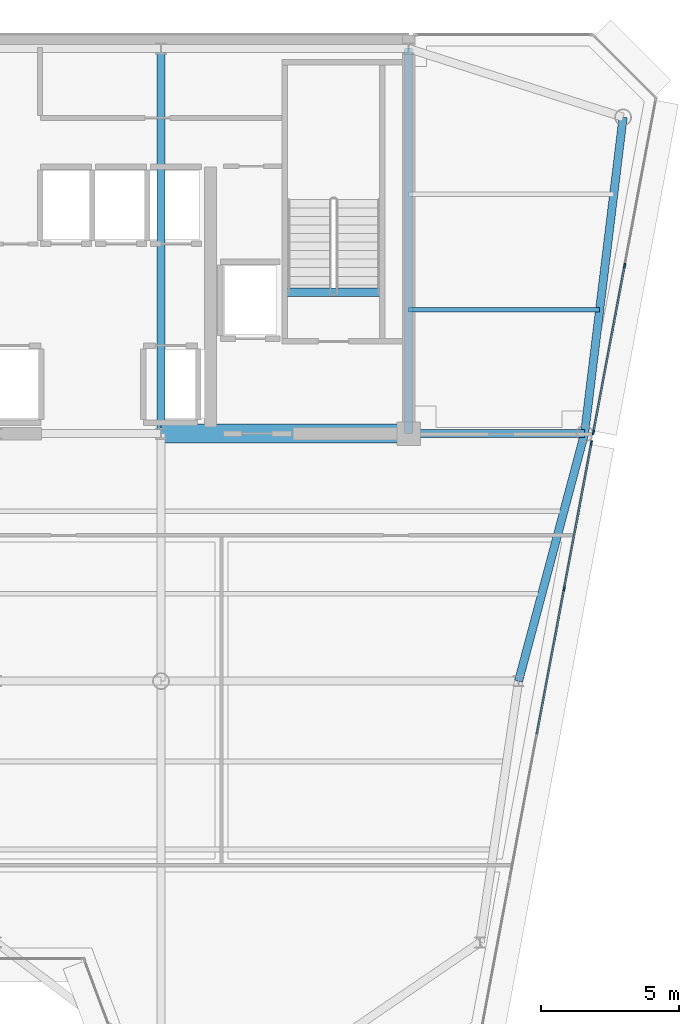
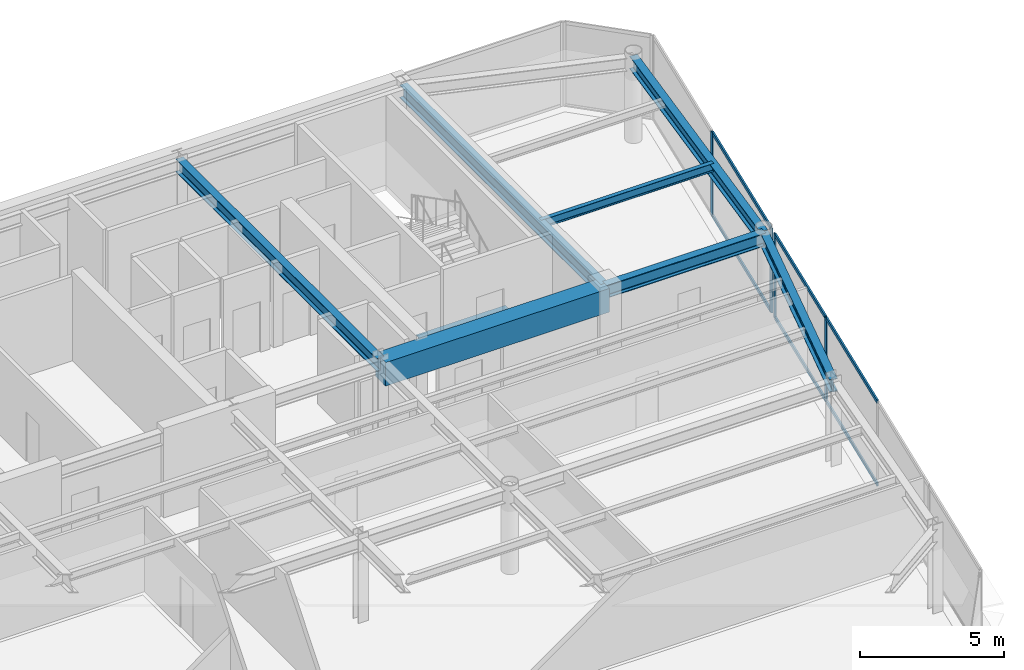
# One storey, part 7 of 19: 10 members, 8 beams, 2 elements without a shape of their own.
"""IFC4 building model written with IfcOpenShell, lengths in metres."""

from ifc_helpers import new_model, si_unit, direction, frame, origin, origin_2d, place, context, subcontext, project, spatial, rectangle, i_section, extrude, source, transform, mapped, material, layer, layer_set, material_profile, profile_set, type_object, element, aggregate, save


model = new_model("IFC4")

# Units and contexts
model_context = context("Model", 3, precision=1e-05, world=origin(), true_north=direction((0.0, 1.0)))
body_context = subcontext(model_context, "Body", "Model", "MODEL_VIEW")
ifc_project = project(units=[si_unit("LENGTHUNIT", "METRE"), si_unit("AREAUNIT", "SQUARE_METRE"), si_unit("VOLUMEUNIT", "CUBIC_METRE"), si_unit("PLANEANGLEUNIT", "RADIAN"), si_unit("MASSUNIT", "GRAM", prefix="KILO")], contexts=[model_context])

# Site, building, storey
site_placement = place(None, origin())
site = spatial("IfcSite", under=ifc_project, at=site_placement, CompositionType="ELEMENT")
building_placement = place(site_placement, origin())
building = spatial("IfcBuilding", under=site, at=building_placement, Name="Vaeldorn Concourse Tower", CompositionType="ELEMENT")
storey_placement = place(building_placement, frame((0.0, 0.0, 272.60009765625)))
storey = spatial("IfcBuildingStorey", under=building, at=storey_placement, Name="L70", CompositionType="ELEMENT", Elevation=272.60009765625)

# Beams
ifc_material_1 = material(Name="Concrete C50/60", Category="concrete")
ifc_material_profile_1 = material_profile(ifc_material_1, rectangle(XDim=0.699951171875, YDim=1.0, at=origin_2d()), Name="RC 700x1000")
ifc_profile_set_1 = profile_set([ifc_material_profile_1], Name="Concrete C50/60")
beam_type_1 = type_object("IfcBeamType", Name="BM-CB-RC700", PredefinedType="BEAM", material=ifc_profile_set_1)
shared_shape_1 = source(origin(), body_context, "Body", "SweptSolid", [
    extrude(rectangle(XDim=0.699951171875, YDim=1.0, at=origin_2d()), origin(), (0.0, 0.0, 1.0), 9.0),
])
beam_1_placement = place(storey_placement, frame((45.0, 36.5, 3.079833984375), z_axis=(1.0, 0.0, 0.0), x_axis=(0.0, 1.0, 0.0)))
element("IfcBeam", 1, at=beam_1_placement, inside=storey, type_object=beam_type_1, Name="Core Coupling Beam L70-2", PredefinedType="BEAM", context=body_context, shape_type="MappedRepresentation", body=[
    mapped(shared_shape_1, transform((0.0, 0.0, 0.0), scale=1.0)),
])
ifc_material_2 = material(Name="Steel S355", Category="steel")
ifc_material_profile_2 = material_profile(ifc_material_2, i_section(OverallWidth=0.300048828125, OverallDepth=0.340087890625, WebThickness=0.011962890625, FlangeThickness=0.021484375, FilletRadius=0.027099609375, at=origin_2d()), Name="HEB 340")
ifc_profile_set_2 = profile_set([ifc_material_profile_2], Name="Steel S355")
beam_type_2 = type_object("IfcBeamType", Name="BM-ST-TRIM", PredefinedType="BEAM", material=ifc_profile_set_2)
shared_shape_2 = source(origin(), body_context, "Body", "SweptSolid", [
    extrude(i_section(OverallWidth=0.300048828125, OverallDepth=0.340087890625, WebThickness=0.011962890625, FlangeThickness=0.021484375, FilletRadius=0.027099609375, at=origin_2d()), origin(), (0.0, 0.0, 1.0), 3.590087890625),
])
beam_2_placement = place(storey_placement, frame((49.47998046875, 41.639892578125, -0.39013671875), z_axis=(1.0, 0.0, 0.0), x_axis=(0.0, 1.0, 0.0)))
element("IfcBeam", 2, at=beam_2_placement, inside=storey, type_object=beam_type_2, Name="Stair Landing Trimmer Beam ST-2 L70", PredefinedType="BEAM", context=body_context, shape_type="MappedRepresentation", body=[
    mapped(shared_shape_2, transform((0.0, 0.0, 0.0), scale=1.0)),
])
ifc_material_profile_3 = material_profile(ifc_material_2, i_section(OverallWidth=0.300048828125, OverallDepth=0.550048828125, WebThickness=0.014892578125, FlangeThickness=0.029052734375, FilletRadius=0.027099609375, at=origin_2d()), Name="HEB 550")
ifc_profile_set_3 = profile_set([ifc_material_profile_3], Name="Steel S355")
beam_type_3 = type_object("IfcBeamType", Name="BM-PG-HEB550", PredefinedType="BEAM", material=ifc_profile_set_3)
shared_shape_3 = source(origin(), body_context, "Body", "SweptSolid", [
    extrude(i_section(OverallWidth=0.300048828125, OverallDepth=0.550048828125, WebThickness=0.014892578125, FlangeThickness=0.029052734375, FilletRadius=0.027099609375, at=origin_2d()), origin(), (0.0, 0.0, 1.0), 14.0),
])
for number, where, z_axis, x_axis, name in (
    (3, (45.0, 36.5, 3.304931640625), (0.0, 1.0, 0.0), (-1.0, 0.0, 0.0), "Beam BM-L70-C-FC5-C-HC4"),
    (4, (54.0, 36.5, 3.304931640625), (0.0, 1.0, 0.0), (-1.0, 0.0, 0.0), "Beam BM-L70-C-FC6-C-HC5"),
):
    element("IfcBeam", number, at=place(storey_placement, frame(where, z_axis=z_axis, x_axis=x_axis)), inside=storey, type_object=beam_type_3, Name=name, PredefinedType="BEAM", context=body_context, shape_type="MappedRepresentation", body=[
        mapped(shared_shape_3, transform((0.0, 0.0, 0.0), scale=1.0)),
    ])
shared_shape_4 = source(origin(), body_context, "Body", "SweptSolid", [
    extrude(i_section(OverallWidth=0.300048828125, OverallDepth=0.550048828125, WebThickness=0.014892578125, FlangeThickness=0.029052734375, FilletRadius=0.027099609375, at=origin_2d()), origin(), (0.0, 0.0, 1.0), 11.5849609375),
])
beam_3_placement = place(storey_placement, frame((61.800048828125, 48.0, 3.304931640625), z_axis=(-0.120859382899, -0.992669637677, 0.0), x_axis=(0.992669637677, -0.120859382899, 0.0)))
element("IfcBeam", 5, at=beam_3_placement, inside=storey, type_object=beam_type_3, Name="Beam BM-L70-C-NE1-C-NE2", PredefinedType="BEAM", context=body_context, shape_type="MappedRepresentation", body=[
    mapped(shared_shape_4, transform((0.0, 0.0, 0.0), scale=1.0)),
])
shared_shape_5 = source(origin(), body_context, "Body", "SweptSolid", [
    extrude(i_section(OverallWidth=0.300048828125, OverallDepth=0.550048828125, WebThickness=0.014892578125, FlangeThickness=0.029052734375, FilletRadius=0.027099609375, at=origin_2d()), origin(), (0.0, 0.0, 1.0), 6.39990234375),
])
beam_4_placement = place(storey_placement, frame((54.0, 36.5, 3.304931640625), z_axis=(1.0, 0.0, 0.0), x_axis=(0.0, 1.0, 0.0)))
element("IfcBeam", 6, at=beam_4_placement, inside=storey, type_object=beam_type_3, Name="Beam BM-L70-C-FC6-C-NE2", PredefinedType="BEAM", context=body_context, shape_type="MappedRepresentation", body=[
    mapped(shared_shape_5, transform((0.0, 0.0, 0.0), scale=1.0)),
])
shared_shape_6 = source(origin(), body_context, "Body", "SweptSolid", [
    extrude(i_section(OverallWidth=0.300048828125, OverallDepth=0.550048828125, WebThickness=0.014892578125, FlangeThickness=0.029052734375, FilletRadius=0.027099609375, at=origin_2d()), origin(), (0.0, 0.0, 1.0), 9.314453125),
])
beam_5_placement = place(storey_placement, frame((60.39990234375, 36.5, 3.304931640625), z_axis=(-0.257652862255, -0.966237549763, 0.0), x_axis=(0.966237549763, -0.257652862255, 0.0)))
element("IfcBeam", 7, at=beam_5_placement, inside=storey, type_object=beam_type_3, Name="Beam BM-L70-C-NE2-C-FLE1", PredefinedType="BEAM", context=body_context, shape_type="MappedRepresentation", body=[
    mapped(shared_shape_6, transform((0.0, 0.0, 0.0), scale=1.0)),
])
ifc_material_profile_4 = material_profile(ifc_material_2, i_section(OverallWidth=0.169921875, OverallDepth=0.360107421875, WebThickness=0.008056640625, FlangeThickness=0.0126953125, FilletRadius=0.01806640625, at=origin_2d()), Name="IPE 360")
ifc_profile_set_4 = profile_set([ifc_material_profile_4], Name="Steel S355")
beam_type_4 = type_object("IfcBeamType", Name="BM-JS-IPE360", PredefinedType="JOIST", material=ifc_profile_set_4)
shared_shape_7 = source(origin(), body_context, "Body", "SweptSolid", [
    extrude(i_section(OverallWidth=0.169921875, OverallDepth=0.360107421875, WebThickness=0.008056640625, FlangeThickness=0.0126953125, FilletRadius=0.01806640625, at=origin_2d()), origin(), (0.0, 0.0, 1.0), 6.94775390625),
])
beam_6_placement = place(storey_placement, frame((54.0, 41.0, 3.39990234375), z_axis=(1.0, 0.0, 0.0), x_axis=(0.0, 1.0, 0.0)))
element("IfcBeam", 8, at=beam_6_placement, inside=storey, type_object=beam_type_4, Name="Beam JS-L70-NE-410", PredefinedType="JOIST", context=body_context, shape_type="MappedRepresentation", body=[
    mapped(shared_shape_7, transform((0.0, 0.0, 0.0), scale=1.0)),
])

# Curtain wall, members
ifc_material_3 = material(Name="Anodised Bronze Aluminium", Category="aluminium")
ifc_layer = layer(ifc_material_3, 0.179931640625)
ifc_layer_set = layer_set([ifc_layer], Name="Anodised Bronze Aluminium")
curtain_wall_type = type_object("IfcCurtainWallType", Name="CW-SYS-05", PredefinedType="NOTDEFINED", material=ifc_layer_set)
curtain_wall_1_placement = place(storey_placement, origin())
curtain_wall_1 = element("IfcCurtainWall", 9, at=curtain_wall_1_placement, inside=storey, type_object=curtain_wall_type, Name="Unitised Curtain Wall CW-L70-E07-1", PredefinedType="NOTDEFINED")
ifc_material_profile_5 = material_profile(ifc_material_3, rectangle(XDim=0.06494140625, YDim=0.169921875, at=origin_2d()), Name="CWM 65x170")
ifc_profile_set_5 = profile_set([ifc_material_profile_5], Name="Anodised Bronze Aluminium")
member_type_1 = type_object("IfcMemberType", Name="CWM-BRONZE-170", PredefinedType="MULLION", material=ifc_profile_set_5)
shared_shape_8 = source(origin(), body_context, "Body", "SweptSolid", [
    extrude(rectangle(XDim=0.06494140625, YDim=0.169921875, at=origin_2d()), origin(), (0.0, 0.0, 1.0), 3.579833984375),
])
member_1_placement = place(storey_placement, frame((59.656494140625, 30.86376953125, 0.0), z_axis=(0.0, 0.0, 1.0), x_axis=(-0.982880027444, 0.184246714088, 0.0)))
member_1 = element("IfcMember", 10, at=member_1_placement, type_object=member_type_1, Name="CW-05 mullion 4", PredefinedType="MULLION", context=body_context, shape_type="MappedRepresentation", body=[
    mapped(shared_shape_8, transform((0.0, 0.0, 0.0), scale=1.0)),
])
member_2_placement = place(storey_placement, frame((60.64794921875, 36.153076171875, 0.0), z_axis=(0.0, 0.0, 1.0), x_axis=(-0.982880027444, 0.184246714088, 0.0)))
member_2 = element("IfcMember", 11, at=member_2_placement, type_object=member_type_1, Name="CW-05 mullion 5", PredefinedType="MULLION", context=body_context, shape_type="MappedRepresentation", body=[
    mapped(shared_shape_8, transform((0.0, 0.0, 0.0), scale=1.0)),
])

curtain_wall_2_placement = place(storey_placement, origin())
curtain_wall_2 = element("IfcCurtainWall", 12, at=curtain_wall_2_placement, inside=storey, type_object=curtain_wall_type, Name="Unitised Curtain Wall CW-L70-E07-2", PredefinedType="NOTDEFINED")
member_3_placement = place(storey_placement, frame((60.720947265625, 36.542236328125, 0.0), z_axis=(0.0, 0.0, 1.0), x_axis=(-0.982880218842, 0.184245693053, 0.0)))
member_3 = element("IfcMember", 13, at=member_3_placement, type_object=member_type_1, Name="CW-05 mullion 1", PredefinedType="MULLION", context=body_context, shape_type="MappedRepresentation", body=[
    mapped(shared_shape_8, transform((0.0, 0.0, 0.0), scale=1.0)),
])
member_4_placement = place(storey_placement, frame((61.857421875, 42.605224609375, 0.0), z_axis=(0.0, 0.0, 1.0), x_axis=(-0.982880218842, 0.184245693053, 0.0)))
member_4 = element("IfcMember", 14, at=member_4_placement, type_object=member_type_1, Name="CW-05 mullion 2", PredefinedType="MULLION", context=body_context, shape_type="MappedRepresentation", body=[
    mapped(shared_shape_8, transform((0.0, 0.0, 0.0), scale=1.0)),
])

# Member
ifc_material_profile_6 = material_profile(ifc_material_3, rectangle(XDim=0.06494140625, YDim=0.14990234375, at=origin_2d()), Name="CWT 65x150")
ifc_profile_set_6 = profile_set([ifc_material_profile_6], Name="Anodised Bronze Aluminium")
member_type_2 = type_object("IfcMemberType", Name="CWT-BRONZE-150", PredefinedType="USERDEFINED", material=ifc_profile_set_6)
shared_shape_9 = source(origin(), body_context, "Body", "SweptSolid", [
    extrude(rectangle(XDim=0.06494140625, YDim=0.14990234375, at=origin_2d()), origin(), (0.0, 0.0, 1.0), 5.31640625),
])
member_5_placement = place(storey_placement, frame((59.66259765625, 30.895751953125, 0.032470703125), z_axis=(0.184241399207, 0.982881023735, 0.0), x_axis=(-0.982881023735, 0.184241399207, 0.0)))
member_5 = element("IfcMember", 15, at=member_5_placement, type_object=member_type_2, Name="CW-05 transom 4.1", ObjectType="TRANSOM", PredefinedType="USERDEFINED", context=body_context, shape_type="MappedRepresentation", body=[
    mapped(shared_shape_9, transform((0.0, 0.0, 0.0), scale=1.0)),
])

member_6_placement = place(storey_placement, frame((59.66259765625, 30.895751953125, 3.54736328125), z_axis=(0.184241399207, 0.982881023735, 0.0), x_axis=(-0.982881023735, 0.184241399207, 0.0)))
member_6 = element("IfcMember", 16, at=member_6_placement, type_object=member_type_2, Name="CW-05 transom 4.2", ObjectType="TRANSOM", PredefinedType="USERDEFINED", context=body_context, shape_type="MappedRepresentation", body=[
    mapped(shared_shape_9, transform((0.0, 0.0, 0.0), scale=1.0)),
])

shared_shape_10 = source(origin(), body_context, "Body", "SweptSolid", [
    extrude(rectangle(XDim=0.06494140625, YDim=0.14990234375, at=origin_2d()), origin(), (0.0, 0.0, 1.0), 5.348876953125),
])
member_7_placement = place(storey_placement, frame((58.6650390625, 25.574462890625, 0.032470703125), z_axis=(0.184216882988, 0.982885618993, 0.0), x_axis=(-0.982885618993, 0.184216882988, 0.0)))
member_7 = element("IfcMember", 17, at=member_7_placement, type_object=member_type_2, Name="CW-05 transom 3.1", ObjectType="TRANSOM", PredefinedType="USERDEFINED", context=body_context, shape_type="MappedRepresentation", body=[
    mapped(shared_shape_10, transform((0.0, 0.0, 0.0), scale=1.0)),
])

member_8_placement = place(storey_placement, frame((58.6650390625, 25.574462890625, 3.54736328125), z_axis=(0.184216882988, 0.982885618993, 0.0), x_axis=(-0.982885618993, 0.184216882988, 0.0)))
member_8 = element("IfcMember", 18, at=member_8_placement, type_object=member_type_2, Name="CW-05 transom 3.2", ObjectType="TRANSOM", PredefinedType="USERDEFINED", context=body_context, shape_type="MappedRepresentation", body=[
    mapped(shared_shape_10, transform((0.0, 0.0, 0.0), scale=1.0)),
])

aggregate(curtain_wall_1, [member_1, member_2, member_7, member_8, member_5, member_6])

shared_shape_11 = source(origin(), body_context, "Body", "SweptSolid", [
    extrude(rectangle(XDim=0.06494140625, YDim=0.14990234375, at=origin_2d()), origin(), (0.0, 0.0, 1.0), 6.103515625),
])
member_9_placement = place(storey_placement, frame((60.72705078125, 36.57421875, 0.032470703125), z_axis=(0.18424023288, 0.982881242363, 0.0), x_axis=(-0.982881242363, 0.18424023288, 0.0)))
member_9 = element("IfcMember", 19, at=member_9_placement, type_object=member_type_2, Name="CW-05 transom 1.1", ObjectType="TRANSOM", PredefinedType="USERDEFINED", context=body_context, shape_type="MappedRepresentation", body=[
    mapped(shared_shape_11, transform((0.0, 0.0, 0.0), scale=1.0)),
])

member_10_placement = place(storey_placement, frame((60.72705078125, 36.57421875, 3.54736328125), z_axis=(0.18424023288, 0.982881242363, 0.0), x_axis=(-0.982881242363, 0.18424023288, 0.0)))
member_10 = element("IfcMember", 20, at=member_10_placement, type_object=member_type_2, Name="CW-05 transom 1.2", ObjectType="TRANSOM", PredefinedType="USERDEFINED", context=body_context, shape_type="MappedRepresentation", body=[
    mapped(shared_shape_11, transform((0.0, 0.0, 0.0), scale=1.0)),
])

aggregate(curtain_wall_2, [member_3, member_4, member_9, member_10])

save(model, "model.ifc")
